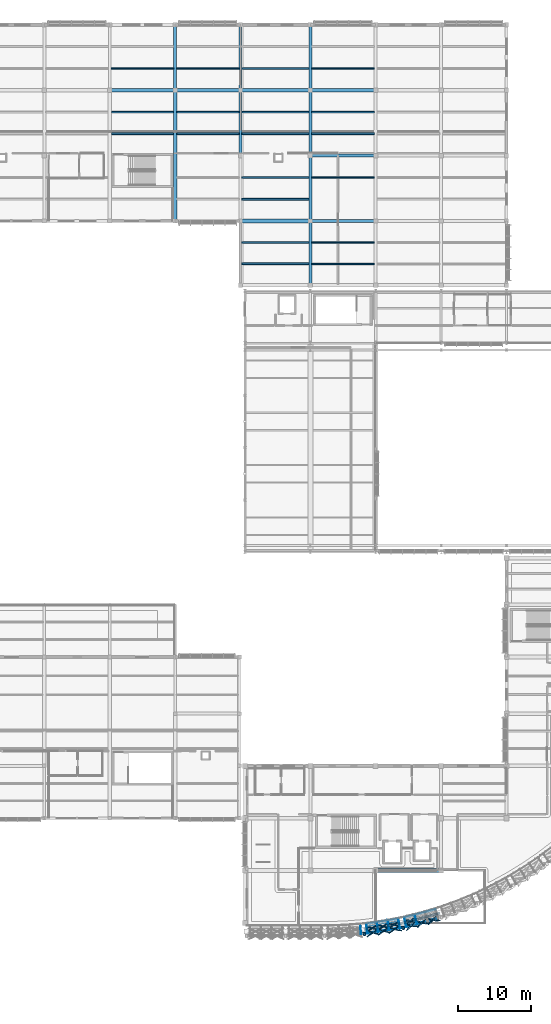
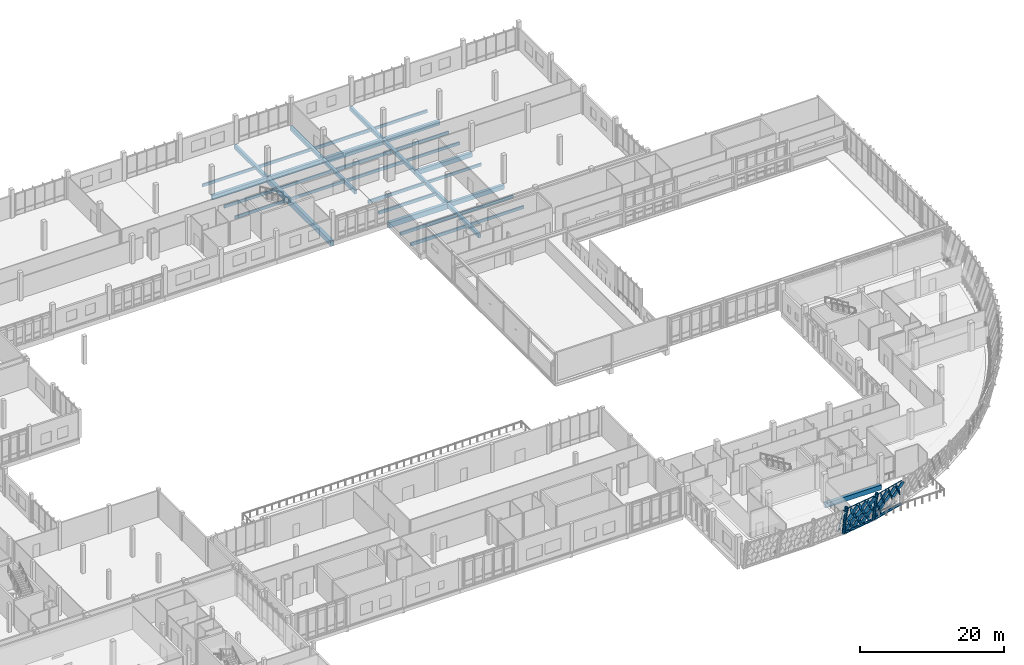
# One storey, part 84 of 177: 37 beams, 34 members, 3 elements without a shape of their own.
"""IFC4 building model written with IfcOpenShell, lengths in metres."""

from ifc_helpers import new_model, si_unit, direction, frame, origin, origin_2d, place, context, subcontext, project, spatial, rectangle, hollow_rectangle, hollow_circle, extrude, material, material_profile, profile_set, type_object, element, aggregate, save


model = new_model("IFC4")

# Units and contexts
model_context = context("Model", 3, precision=1e-05, world=origin(), true_north=direction((0.0, 1.0)))
body_context = subcontext(model_context, "Body", "Model", "MODEL_VIEW")
ifc_project = project(units=[si_unit("LENGTHUNIT", "METRE"), si_unit("AREAUNIT", "SQUARE_METRE"), si_unit("VOLUMEUNIT", "CUBIC_METRE"), si_unit("PLANEANGLEUNIT", "RADIAN"), si_unit("MASSUNIT", "GRAM", prefix="KILO")], contexts=[model_context])

# Site, building, storey
site_placement = place(None, origin())
site = spatial("IfcSite", under=ifc_project, at=site_placement, CompositionType="ELEMENT")
building_placement = place(site_placement, origin())
building = spatial("IfcBuilding", under=site, at=building_placement, Name="Chiffa Square Polytechnic", CompositionType="ELEMENT")
storey_placement = place(building_placement, frame((0.0, 0.0, 4.800048828125)))
storey = spatial("IfcBuildingStorey", under=building, at=storey_placement, Name="L01", CompositionType="ELEMENT", Elevation=4.800048828125)

# Beams
ifc_material_1 = material(Name="Concrete C35/45", Category="concrete")
ifc_material_profile_1 = material_profile(ifc_material_1, rectangle(XDim=0.39990234375, YDim=0.64990234375, at=origin_2d()), Name="RC 400x650")
ifc_profile_set_1 = profile_set([ifc_material_profile_1], Name="Concrete C35/45")
beam_type_1 = type_object("IfcBeamType", Name="BM-RC-400X650", PredefinedType="BEAM", material=ifc_profile_set_1)
for number, where, z_axis, x_axis, name in (
    (1, (102.60009765625, 121.800048828125, -0.60498046875), (0.0, 1.0, 0.0), (-1.0, 0.0, 0.0), "Primary floor girder BM-V5-L01-Y-1026-1218"),
    (2, (111.60009765625, 112.800048828125, -0.60498046875), (0.0, 1.0, 0.0), (-1.0, 0.0, 0.0), "Primary floor girder BM-V5-L01-Y-1116-1128"),
    (3, (111.60009765625, 121.800048828125, -0.60498046875), (0.0, 1.0, 0.0), (-1.0, 0.0, 0.0), "Primary floor girder BM-V5-L01-Y-1116-1218"),
):
    element("IfcBeam", number, at=place(storey_placement, frame(where, z_axis=z_axis, x_axis=x_axis)), inside=storey, type_object=beam_type_1, Name=name, PredefinedType="BEAM", context=body_context, shape_type="SweptSolid", body=[
        extrude(rectangle(XDim=0.39990234375, YDim=0.64990234375, at=origin_2d()), origin(), (0.0, 0.0, 1.0), 9.0),
    ])
beam_1_placement = place(storey_placement, frame((121.199951171875, 94.949951171875, -0.60498046875), z_axis=(0.0, 1.0, 0.0), x_axis=(-1.0, 0.0, 0.0)))
element("IfcBeam", 4, at=beam_1_placement, inside=storey, type_object=beam_type_1, Name="Primary floor girder BM-V5-L01-Y-1212-0950", PredefinedType="BEAM", context=body_context, shape_type="SweptSolid", body=[
    extrude(rectangle(XDim=0.39990234375, YDim=0.64990234375, at=origin_2d()), origin(), (0.0, 0.0, 1.0), 8.85009765625),
])
for number, where, z_axis, x_axis, name in (
    (5, (121.199951171875, 103.800048828125, -0.60498046875), (0.0, 1.0, 0.0), (-1.0, 0.0, 0.0), "Primary floor girder BM-V5-L01-Y-1212-1038"),
    (6, (121.199951171875, 112.800048828125, -0.60498046875), (0.0, 1.0, 0.0), (-1.0, 0.0, 0.0), "Primary floor girder BM-V5-L01-Y-1212-1128"),
    (7, (121.199951171875, 121.800048828125, -0.60498046875), (0.0, 1.0, 0.0), (-1.0, 0.0, 0.0), "Primary floor girder BM-V5-L01-Y-1212-1218"),
):
    element("IfcBeam", number, at=place(storey_placement, frame(where, z_axis=z_axis, x_axis=x_axis)), inside=storey, type_object=beam_type_1, Name=name, PredefinedType="BEAM", context=body_context, shape_type="SweptSolid", body=[
        extrude(rectangle(XDim=0.39990234375, YDim=0.64990234375, at=origin_2d()), origin(), (0.0, 0.0, 1.0), 9.0),
    ])
ifc_material_profile_2 = material_profile(ifc_material_1, rectangle(XDim=0.449951171875, YDim=0.75, at=origin_2d()), Name="RC 450x750")
ifc_profile_set_2 = profile_set([ifc_material_profile_2], Name="Concrete C35/45")
beam_type_2 = type_object("IfcBeamType", Name="BM-RC-450X750", PredefinedType="BEAM", material=ifc_profile_set_2)
for number, where, z_axis, x_axis, name in (
    (8, (121.199951171875, 103.800048828125, -0.655029296875), (1.0, 0.0, 0.0), (0.0, 1.0, 0.0), "Primary floor girder BM-V5-L01-X-1212-1038"),
    (9, (121.199951171875, 112.800048828125, -0.655029296875), (1.0, 0.0, 0.0), (0.0, 1.0, 0.0), "Primary floor girder BM-V5-L01-X-1212-1128"),
    (10, (93.60009765625, 121.800048828125, -0.655029296875), (1.0, 0.0, 0.0), (0.0, 1.0, 0.0), "Primary floor girder BM-V5-L01-X-0936-1218"),
    (11, (102.60009765625, 121.800048828125, -0.655029296875), (1.0, 0.0, 0.0), (0.0, 1.0, 0.0), "Primary floor girder BM-V5-L01-X-1026-1218"),
    (12, (121.199951171875, 121.800048828125, -0.655029296875), (1.0, 0.0, 0.0), (0.0, 1.0, 0.0), "Primary floor girder BM-V5-L01-X-1212-1218"),
):
    element("IfcBeam", number, at=place(storey_placement, frame(where, z_axis=z_axis, x_axis=x_axis)), inside=storey, type_object=beam_type_2, Name=name, PredefinedType="BEAM", context=body_context, shape_type="SweptSolid", body=[
        extrude(rectangle(XDim=0.449951171875, YDim=0.75, at=origin_2d()), origin(), (0.0, 0.0, 1.0), 9.0),
    ])
ifc_material_2 = material(Name="Concrete C40/50", Category="concrete")
ifc_material_profile_3 = material_profile(ifc_material_2, rectangle(XDim=0.5, YDim=0.800048828125, at=origin_2d()), Name="RC 500x800")
ifc_profile_set_3 = profile_set([ifc_material_profile_3], Name="Concrete C40/50")
beam_type_3 = type_object("IfcBeamType", Name="BM-RC-500X800", PredefinedType="BEAM", material=ifc_profile_set_3)
beam_2_placement = place(storey_placement, frame((130.199951171875, 14.39990234375, -0.679931640625), z_axis=(1.0, 0.0, 0.0), x_axis=(0.0, 1.0, 0.0)))
element("IfcBeam", 13, at=beam_2_placement, inside=storey, type_object=beam_type_3, Name="Primary floor girder BM-V1-L01-X-1302-0144", PredefinedType="BEAM", context=body_context, shape_type="SweptSolid", body=[
    extrude(rectangle(XDim=0.5, YDim=0.800048828125, at=origin_2d()), origin(), (0.0, 0.0, 1.0), 9.0),
])
ifc_material_profile_4 = material_profile(ifc_material_2, rectangle(XDim=0.5, YDim=0.89990234375, at=origin_2d()), Name="RC 500x900")
ifc_profile_set_4 = profile_set([ifc_material_profile_4], Name="Concrete C40/50")
beam_type_4 = type_object("IfcBeamType", Name="BM-RC-500X900", PredefinedType="BEAM", material=ifc_profile_set_4)
for number, where, z_axis, x_axis, name in (
    (14, (111.60009765625, 103.800048828125, -0.72998046875), (1.0, 0.0, 0.0), (0.0, 1.0, 0.0), "Primary floor girder BM-V5-L01-X-1116-1038"),
    (15, (111.60009765625, 121.800048828125, -0.72998046875), (1.0, 0.0, 0.0), (0.0, 1.0, 0.0), "Primary floor girder BM-V5-L01-X-1116-1218"),
):
    element("IfcBeam", number, at=place(storey_placement, frame(where, z_axis=z_axis, x_axis=x_axis)), inside=storey, type_object=beam_type_4, Name=name, PredefinedType="BEAM", context=body_context, shape_type="SweptSolid", body=[
        extrude(rectangle(XDim=0.5, YDim=0.89990234375, at=origin_2d()), origin(), (0.0, 0.0, 1.0), 9.599853515625),
    ])
beam_3_placement = place(storey_placement, frame((102.60009765625, 103.800048828125, -0.72998046875), z_axis=(0.0, 1.0, 0.0), x_axis=(-1.0, 0.0, 0.0)))
element("IfcBeam", 16, at=beam_3_placement, inside=storey, type_object=beam_type_4, Name="Primary floor girder BM-V5-L01-Y-1026-1038", PredefinedType="BEAM", context=body_context, shape_type="SweptSolid", body=[
    extrude(rectangle(XDim=0.5, YDim=0.89990234375, at=origin_2d()), origin(), (0.0, 0.0, 1.0), 18.0),
])
ifc_material_3 = material(Name="Steel S355", Category="steel")
ifc_material_profile_5 = material_profile(ifc_material_3, hollow_circle(Radius=0.203125, WallThickness=0.012451171875, at=origin_2d()), Name="CHS 406.4x12.5")
ifc_profile_set_5 = profile_set([ifc_material_profile_5], Name="Steel S355")
beam_type_5 = type_object("IfcBeamType", Name="BM-STL-CHS406", PredefinedType="BEAM", material=ifc_profile_set_5)
beam_4_placement = place(storey_placement, frame((128.56396484375, 6.31005859375, 0.0), z_axis=(0.987676593899, 0.156508612745, 0.0), x_axis=(-0.156508612745, 0.987676593899, 0.0)))
element("IfcBeam", 17, at=beam_4_placement, inside=storey, type_object=beam_type_5, Name="Prow V-column ring tie BM-V1-VRING-L01-04", PredefinedType="BEAM", context=body_context, shape_type="SweptSolid", body=[
    extrude(hollow_circle(Radius=0.203125, WallThickness=0.012451171875, at=origin_2d()), origin(), (0.0, 0.0, 1.0), 5.372314453125),
])
beam_5_placement = place(storey_placement, frame((133.8701171875, 7.15087890625, 0.0), z_axis=(0.96593709785, 0.2587769754, 0.0), x_axis=(-0.2587769754, 0.96593709785, 0.0)))
element("IfcBeam", 18, at=beam_5_placement, inside=storey, type_object=beam_type_5, Name="Prow V-column ring tie BM-V1-VRING-L01-05", PredefinedType="BEAM", context=body_context, shape_type="SweptSolid", body=[
    extrude(hollow_circle(Radius=0.203125, WallThickness=0.012451171875, at=origin_2d()), origin(), (0.0, 0.0, 1.0), 5.3720703125),
])

# Members
ifc_material_profile_6 = material_profile(ifc_material_3, hollow_circle(Radius=0.25390625, WallThickness=0.01611328125, at=origin_2d()), Name="CHS 508x16")
ifc_profile_set_6 = profile_set([ifc_material_profile_6], Name="Steel S355")
member_type_1 = type_object("IfcMemberType", Name="COL-VSTRUT-508", PredefinedType="STRUT", material=ifc_profile_set_6)
for number, where, z_axis, x_axis, name in (
    (19, (128.56396484375, 6.31005859375, 0.0), (0.014655072006, -0.139248364588, 0.990149040208), (0.994507423579, 0.104666061577, 0.0), "Prow steel V-strut CV-V1-L01-02R"),
    (20, (133.8701171875, 7.15087890625, 0.0), (0.029057684521, -0.137130112567, 0.990126751077), (0.978278300702, 0.207295842639, 0.0), "Prow steel V-strut CV-V1-L01-03L"),
):
    element("IfcMember", number, at=place(storey_placement, frame(where, z_axis=z_axis, x_axis=x_axis)), inside=storey, type_object=member_type_1, Name=name, PredefinedType="STRUT", context=body_context, shape_type="SweptSolid", body=[
        extrude(hollow_circle(Radius=0.25390625, WallThickness=0.01611328125, at=origin_2d()), origin(), (0.0, 0.0, 1.0), 4.847900390625),
    ])

# Curtain wall, member
ifc_material_4 = material(Name="Aluminium EN AW-6060 T66 and glulam shading", Category="wood")
curtain_wall_type_1 = type_object("IfcCurtainWallType", Name="CW-PROW-LEAN-150", PredefinedType="USERDEFINED", material=ifc_material_4)
curtain_wall_1_placement = place(storey_placement, origin())
curtain_wall_1 = element("IfcCurtainWall", 21, at=curtain_wall_1_placement, inside=storey, type_object=curtain_wall_type_1, Name="Outward-leaning diamond-fin prow curtain wall CW-V1-L01-012", ObjectType="CURTAIN WALL", PredefinedType="USERDEFINED")
ifc_material_5 = material(Name="Aluminium EN AW-6060 T66", Category="aluminium")
ifc_material_profile_7 = material_profile(ifc_material_5, hollow_rectangle(XDim=0.06494140625, YDim=0.179931640625, WallThickness=0.00390625, at=origin_2d()), Name="ALU 65x180x4")
ifc_profile_set_7 = profile_set([ifc_material_profile_7], Name="Aluminium EN AW-6060 T66")
member_type_2 = type_object("IfcMemberType", Name="CWM-ALU-75X180", PredefinedType="MULLION", material=ifc_profile_set_7)
member_1_placement = place(storey_placement, frame((128.06494140625, 6.962890625, 0.0), z_axis=(0.02836970443, -0.270639638746, 0.962262617901), x_axis=(0.994550763857, 0.104253432135, 0.0)))
member_1 = element("IfcMember", 22, at=member_1_placement, type_object=member_type_2, Name="Leaning prow mullion CW-V1-L01-012-M03", PredefinedType="MULLION", context=body_context, shape_type="SweptSolid", body=[
    extrude(hollow_rectangle(XDim=0.06494140625, YDim=0.179931640625, WallThickness=0.00390625, at=origin_2d()), origin(), (0.0, 0.0, 1.0), 4.65576171875),
])
aggregate(curtain_wall_1, [member_1])

# Curtain wall, members
curtain_wall_type_2 = type_object("IfcCurtainWallType", Name="CW-PROW-LEAN-300", PredefinedType="USERDEFINED", material=ifc_material_4)
curtain_wall_2_placement = place(storey_placement, origin())
curtain_wall_2 = element("IfcCurtainWall", 23, at=curtain_wall_2_placement, inside=storey, type_object=curtain_wall_type_2, Name="Outward-leaning diamond-fin prow curtain wall CW-V1-L01-013", ObjectType="CURTAIN WALL", PredefinedType="USERDEFINED")
member_2_placement = place(storey_placement, frame((128.9189453125, 7.052978515625, 0.0), z_axis=(0.028368093432, -0.270834015849, 0.96220797499), x_axis=(0.994559132106, 0.104173570275, 0.0)))
member_2 = element("IfcMember", 24, at=member_2_placement, type_object=member_type_2, Name="Leaning prow mullion CW-V1-L01-013-M00", PredefinedType="MULLION", context=body_context, shape_type="SweptSolid", body=[
    extrude(hollow_rectangle(XDim=0.06494140625, YDim=0.179931640625, WallThickness=0.00390625, at=origin_2d()), origin(), (0.0, 0.0, 1.0), 4.656005859375),
])
member_3_placement = place(storey_placement, frame((130.380615234375, 7.28466796875, 0.0), z_axis=(0.037810366203, -0.269339862442, 0.962302662735), x_axis=(0.990289786371, 0.139018484418, 0.0)))
member_3 = element("IfcMember", 25, at=member_3_placement, type_object=member_type_2, Name="Leaning prow mullion CW-V1-L01-013-M01", PredefinedType="MULLION", context=body_context, shape_type="SweptSolid", body=[
    extrude(hollow_rectangle(XDim=0.06494140625, YDim=0.179931640625, WallThickness=0.00390625, at=origin_2d()), origin(), (0.0, 0.0, 1.0), 4.655517578125),
])
member_4_placement = place(storey_placement, frame((131.84228515625, 7.516357421875, 0.0), z_axis=(0.047249514194, -0.267869609883, 0.962295877321), x_axis=(0.984797142037, 0.173708344749, 0.0)))
member_4 = element("IfcMember", 26, at=member_4_placement, type_object=member_type_2, Name="Leaning prow mullion CW-V1-L01-013-M02", PredefinedType="MULLION", context=body_context, shape_type="SweptSolid", body=[
    extrude(hollow_rectangle(XDim=0.06494140625, YDim=0.179931640625, WallThickness=0.00390625, at=origin_2d()), origin(), (0.0, 0.0, 1.0), 4.655517578125),
])
member_5_placement = place(storey_placement, frame((133.303955078125, 7.748046875, 0.0), z_axis=(0.056736416263, -0.266325562108, 0.962211865463), x_axis=(0.978052521554, 0.208358501343, 0.0)))
member_5 = element("IfcMember", 27, at=member_5_placement, type_object=member_type_2, Name="Leaning prow mullion CW-V1-L01-013-M03", PredefinedType="MULLION", context=body_context, shape_type="SweptSolid", body=[
    extrude(hollow_rectangle(XDim=0.06494140625, YDim=0.179931640625, WallThickness=0.00390625, at=origin_2d()), origin(), (0.0, 0.0, 1.0), 4.656005859375),
])

curtain_wall_3_placement = place(storey_placement, origin())
curtain_wall_3 = element("IfcCurtainWall", 28, at=curtain_wall_3_placement, inside=storey, type_object=curtain_wall_type_1, Name="Outward-leaning diamond-fin prow curtain wall CW-V1-L01-014", ObjectType="CURTAIN WALL", PredefinedType="USERDEFINED")
member_6_placement = place(storey_placement, frame((134.14404296875, 7.926025390625, 0.0), z_axis=(0.056684148211, -0.266326354082, 0.962214726796), x_axis=(0.978091748343, 0.208174282331, 0.0)))
member_6 = element("IfcMember", 29, at=member_6_placement, type_object=member_type_2, Name="Leaning prow mullion CW-V1-L01-014-M00", PredefinedType="MULLION", context=body_context, shape_type="SweptSolid", body=[
    extrude(hollow_rectangle(XDim=0.06494140625, YDim=0.179931640625, WallThickness=0.00390625, at=origin_2d()), origin(), (0.0, 0.0, 1.0), 4.656005859375),
])
member_7_placement = place(storey_placement, frame((135.573974609375, 8.309326171875, 0.0), z_axis=(0.065866581677, -0.263885859076, 0.962302367657), x_axis=(0.970233167612, 0.242172666638, 0.0)))
member_7 = element("IfcMember", 30, at=member_7_placement, type_object=member_type_2, Name="Leaning prow mullion CW-V1-L01-014-M01", PredefinedType="MULLION", context=body_context, shape_type="SweptSolid", body=[
    extrude(hollow_rectangle(XDim=0.06494140625, YDim=0.179931640625, WallThickness=0.00390625, at=origin_2d()), origin(), (0.0, 0.0, 1.0), 4.655517578125),
])

# Member
ifc_material_6 = material(Name="Glulam GL28h", Category="wood")
ifc_material_profile_8 = material_profile(ifc_material_6, rectangle(XDim=0.080078125, YDim=0.580078125, at=origin_2d()), Name="GL28h 80x580")
ifc_profile_set_8 = profile_set([ifc_material_profile_8], Name="Glulam GL28h")
member_type_3 = type_object("IfcMemberType", Name="CWM-GL-80X580", PredefinedType="MULLION", material=ifc_profile_set_8)
member_8_placement = place(storey_placement, frame((129.05908203125, 6.68408203125, 0.0400390625), z_axis=(0.526799808511, -0.155786600651, 0.83559110623), x_axis=(0.154742056217, 0.984210155488, 0.085937569621)))
member_8 = element("IfcMember", 31, at=member_8_placement, type_object=member_type_3, Name="Diamond glulam fin CW-V1-L01-013-DF01A", PredefinedType="MULLION", context=body_context, shape_type="SweptSolid", body=[
    extrude(rectangle(XDim=0.080078125, YDim=0.580078125, at=origin_2d()), origin(), (0.0, 0.0, 1.0), 2.6328125),
])

member_9_placement = place(storey_placement, frame((130.361083984375, 6.889892578125, 0.0400390625), z_axis=(-0.465594505621, -0.31073352449, 0.828653385375), x_axis=(0.656105326964, -0.749571865645, 0.087566078838)))
member_9 = element("IfcMember", 32, at=member_9_placement, type_object=member_type_3, Name="Diamond glulam fin CW-V1-L01-013-DF01B", PredefinedType="MULLION", context=body_context, shape_type="SweptSolid", body=[
    extrude(rectangle(XDim=0.080078125, YDim=0.580078125, at=origin_2d()), origin(), (0.0, 0.0, 1.0), 2.65478515625),
])

member_10_placement = place(storey_placement, frame((129.125, 6.06494140625, 2.239990234375), z_axis=(0.532094462003, -0.154020050036, 0.832558290868), x_axis=(0.149517593183, 0.984954524984, 0.08665490778)))
member_10 = element("IfcMember", 33, at=member_10_placement, type_object=member_type_3, Name="Diamond glulam fin CW-V1-L01-013-DF02A", PredefinedType="MULLION", context=body_context, shape_type="SweptSolid", body=[
    extrude(rectangle(XDim=0.080078125, YDim=0.580078125, at=origin_2d()), origin(), (0.0, 0.0, 1.0), 2.642333984375),
])

member_11_placement = place(storey_placement, frame((130.446044921875, 6.27392578125, 2.239990234375), z_axis=(-0.471023651224, -0.310686870511, 0.825596989142), x_axis=(0.651641460628, -0.753373651257, 0.088269747828)))
member_11 = element("IfcMember", 34, at=member_11_placement, type_object=member_type_3, Name="Diamond glulam fin CW-V1-L01-013-DF02B", PredefinedType="MULLION", context=body_context, shape_type="SweptSolid", body=[
    extrude(rectangle(XDim=0.080078125, YDim=0.580078125, at=origin_2d()), origin(), (0.0, 0.0, 1.0), 2.664794921875),
])

member_12_placement = place(storey_placement, frame((130.52099609375, 6.916015625, 0.0400390625), z_axis=(0.532654287164, -0.153598765312, 0.832278096348), x_axis=(0.148564068775, 0.985093005201, 0.08672075053)))
member_12 = element("IfcMember", 35, at=member_12_placement, type_object=member_type_3, Name="Diamond glulam fin CW-V1-L01-013-DF03A", PredefinedType="MULLION", context=body_context, shape_type="SweptSolid", body=[
    extrude(rectangle(XDim=0.080078125, YDim=0.580078125, at=origin_2d()), origin(), (0.0, 0.0, 1.0), 2.643310546875),
])

member_13_placement = place(storey_placement, frame((131.822998046875, 7.1220703125, 0.0400390625), z_axis=(-0.459233178419, -0.310926626128, 0.832123501052), x_axis=(0.661530183763, -0.744883232868, 0.086757047918)))
member_13 = element("IfcMember", 36, at=member_13_placement, type_object=member_type_3, Name="Diamond glulam fin CW-V1-L01-013-DF03B", PredefinedType="MULLION", context=body_context, shape_type="SweptSolid", body=[
    extrude(rectangle(XDim=0.080078125, YDim=0.580078125, at=origin_2d()), origin(), (0.0, 0.0, 1.0), 2.643798828125),
])

member_14_placement = place(storey_placement, frame((130.60888671875, 6.300048828125, 2.239990234375), z_axis=(0.53787545856, -0.151930262118, 0.82922083098), x_axis=(0.143646807743, 0.985758996072, 0.087434525719)))
member_14 = element("IfcMember", 37, at=member_14_placement, type_object=member_type_3, Name="Diamond glulam fin CW-V1-L01-013-DF04A", PredefinedType="MULLION", context=body_context, shape_type="SweptSolid", body=[
    extrude(rectangle(XDim=0.080078125, YDim=0.580078125, at=origin_2d()), origin(), (0.0, 0.0, 1.0), 2.653076171875),
])

member_15_placement = place(storey_placement, frame((131.928955078125, 6.510009765625, 2.239990234375), z_axis=(-0.464368739718, -0.310959566292, 0.82925618581), x_axis=(0.657347692353, -0.748498931179, 0.087426319738)))
member_15 = element("IfcMember", 38, at=member_15_placement, type_object=member_type_3, Name="Diamond glulam fin CW-V1-L01-013-DF04B", PredefinedType="MULLION", context=body_context, shape_type="SweptSolid", body=[
    extrude(rectangle(XDim=0.080078125, YDim=0.580078125, at=origin_2d()), origin(), (0.0, 0.0, 1.0), 2.65283203125),
])

member_16_placement = place(storey_placement, frame((131.98291015625, 7.14794921875, 0.0400390625), z_axis=(0.538732357727, -0.151742640876, 0.828698749654), x_axis=(0.142997132529, 0.985842706431, 0.08755557244)))
member_16 = element("IfcMember", 39, at=member_16_placement, type_object=member_type_3, Name="Diamond glulam fin CW-V1-L01-013-DF05A", PredefinedType="MULLION", context=body_context, shape_type="SweptSolid", body=[
    extrude(rectangle(XDim=0.080078125, YDim=0.580078125, at=origin_2d()), origin(), (0.0, 0.0, 1.0), 2.65478515625),
])

member_17_placement = place(storey_placement, frame((133.284912109375, 7.35400390625, 0.0400390625), z_axis=(-0.452720534552, -0.311117860185, 0.83561342418), x_axis=(0.667130108164, -0.739968286924, 0.085932258953)))
member_17 = element("IfcMember", 40, at=member_17_placement, type_object=member_type_3, Name="Diamond glulam fin CW-V1-L01-013-DF05B", PredefinedType="MULLION", context=body_context, shape_type="SweptSolid", body=[
    extrude(rectangle(XDim=0.080078125, YDim=0.580078125, at=origin_2d()), origin(), (0.0, 0.0, 1.0), 2.6328125),
])

member_18_placement = place(storey_placement, frame((132.093017578125, 6.534912109375, 2.239990234375), z_axis=(0.543849681167, -0.149730476668, 0.825716845324), x_axis=(0.137634744775, 0.986544460276, 0.088242308052)))
member_18 = element("IfcMember", 41, at=member_18_placement, type_object=member_type_3, Name="Diamond glulam fin CW-V1-L01-013-DF06A", PredefinedType="MULLION", context=body_context, shape_type="SweptSolid", body=[
    extrude(rectangle(XDim=0.080078125, YDim=0.580078125, at=origin_2d()), origin(), (0.0, 0.0, 1.0), 2.664306640625),
])

member_19_placement = place(storey_placement, frame((133.4130859375, 6.7451171875, 2.239990234375), z_axis=(-0.458358069356, -0.311084785229, 0.832546777458), x_axis=(0.662420382514, -0.744103282239, 0.086657614732)))
member_19 = element("IfcMember", 42, at=member_19_placement, type_object=member_type_3, Name="Diamond glulam fin CW-V1-L01-013-DF06B", PredefinedType="MULLION", context=body_context, shape_type="SweptSolid", body=[
    extrude(rectangle(XDim=0.080078125, YDim=0.580078125, at=origin_2d()), origin(), (0.0, 0.0, 1.0), 2.642333984375),
])

member_20_placement = place(storey_placement, frame((134.322021484375, 7.573974609375, 0.0400390625), z_axis=(0.540428588577, -0.099852734585, 0.835443817407), x_axis=(-0.037130223154, 0.989135445657, 0.142240699782)))
member_20 = element("IfcMember", 43, at=member_20_placement, type_object=member_type_3, Name="Diamond glulam fin CW-V1-L01-014-DF01A", PredefinedType="MULLION", context=body_context, shape_type="SweptSolid", body=[
    extrude(rectangle(XDim=0.080078125, YDim=0.580078125, at=origin_2d()), origin(), (0.0, 0.0, 1.0), 2.63330078125),
])

member_21_placement = place(storey_placement, frame((135.594970703125, 7.9150390625, 0.0400390625), z_axis=(-0.430240850242, -0.357859587066, 0.828751667707), x_axis=(0.782591353502, -0.605452158453, 0.144839418837)))
member_21 = element("IfcMember", 44, at=member_21_placement, type_object=member_type_3, Name="Diamond glulam fin CW-V1-L01-014-DF01B", PredefinedType="MULLION", context=body_context, shape_type="SweptSolid", body=[
    extrude(rectangle(XDim=0.080078125, YDim=0.580078125, at=origin_2d()), origin(), (0.0, 0.0, 1.0), 2.654541015625),
])

member_22_placement = place(storey_placement, frame((134.452880859375, 6.965087890625, 2.239990234375), z_axis=(0.545377606076, -0.097286569405, 0.832525429164), x_axis=(-0.042496997646, 0.988754524118, 0.143382342803)))
member_22 = element("IfcMember", 45, at=member_22_placement, type_object=member_type_3, Name="Diamond glulam fin CW-V1-L01-014-DF02A", PredefinedType="MULLION", context=body_context, shape_type="SweptSolid", body=[
    extrude(rectangle(XDim=0.080078125, YDim=0.580078125, at=origin_2d()), origin(), (0.0, 0.0, 1.0), 2.642578125),
])

member_23_placement = place(storey_placement, frame((135.7451171875, 7.31103515625, 2.239990234375), z_axis=(-0.435816810172, -0.358110196416, 0.825724406321), x_axis=(0.77835156672, -0.610618435146, 0.145993031491)))
member_23 = element("IfcMember", 46, at=member_23_placement, type_object=member_type_3, Name="Diamond glulam fin CW-V1-L01-014-DF02B", PredefinedType="MULLION", context=body_context, shape_type="SweptSolid", body=[
    extrude(rectangle(XDim=0.080078125, YDim=0.580078125, at=origin_2d()), origin(), (0.0, 0.0, 1.0), 2.664306640625),
])

member_24_placement = place(storey_placement, frame((135.904052734375, 7.35400390625, 2.239990234375), z_axis=(0.550961661436, -0.0949553164, 0.829110810154), x_axis=(-0.047418407607, 0.988338465404, 0.144701666968)))
member_24 = element("IfcMember", 47, at=member_24_placement, type_object=member_type_3, Name="Diamond glulam fin CW-V1-L01-014-DF04A", PredefinedType="MULLION", context=body_context, shape_type="SweptSolid", body=[
    extrude(rectangle(XDim=0.080078125, YDim=0.580078125, at=origin_2d()), origin(), (0.0, 0.0, 1.0), 2.6533203125),
])

member_25_placement = place(storey_placement, frame((137.196044921875, 7.699951171875, 2.239990234375), z_axis=(-0.429697573328, -0.357651920241, 0.829123090634), x_axis=(0.782868527589, -0.605127804857, 0.14469695332)))
member_25 = element("IfcMember", 48, at=member_25_placement, type_object=member_type_3, Name="Diamond glulam fin CW-V1-L01-014-DF04B", PredefinedType="MULLION", context=body_context, shape_type="SweptSolid", body=[
    extrude(rectangle(XDim=0.080078125, YDim=0.580078125, at=origin_2d()), origin(), (0.0, 0.0, 1.0), 2.6533203125),
])

member_26_placement = place(storey_placement, frame((137.35595703125, 7.742919921875, 2.239990234375), z_axis=(0.556618913805, -0.092265884148, 0.825628482683), x_axis=(-0.052854028929, 0.987867336914, 0.146029367886)))
member_26 = element("IfcMember", 49, at=member_26_placement, type_object=member_type_3, Name="Diamond glulam fin CW-V1-L01-014-DF06A", PredefinedType="MULLION", context=body_context, shape_type="SweptSolid", body=[
    extrude(rectangle(XDim=0.080078125, YDim=0.580078125, at=origin_2d()), origin(), (0.0, 0.0, 1.0), 2.66455078125),
])

member_27_placement = place(storey_placement, frame((138.64697265625, 8.089111328125, 2.239990234375), z_axis=(-0.423472745931, -0.356944188857, 0.832623371936), x_axis=(0.787302786689, -0.599672202753, 0.143344240612)))
member_27 = element("IfcMember", 50, at=member_27_placement, type_object=member_type_3, Name="Diamond glulam fin CW-V1-L01-014-DF06B", PredefinedType="MULLION", context=body_context, shape_type="SweptSolid", body=[
    extrude(rectangle(XDim=0.080078125, YDim=0.580078125, at=origin_2d()), origin(), (0.0, 0.0, 1.0), 2.64208984375),
])

ifc_material_profile_9 = material_profile(ifc_material_5, hollow_rectangle(XDim=0.06494140625, YDim=0.139892578125, WallThickness=0.00390625, at=origin_2d()), Name="ALU 65x140x4")
ifc_profile_set_9 = profile_set([ifc_material_profile_9], Name="Aluminium EN AW-6060 T66")
member_type_4 = type_object("IfcMemberType", Name="CWT-ALU-75X140", PredefinedType="USERDEFINED", material=ifc_profile_set_9)
member_28_placement = place(storey_placement, frame((128.920166015625, 7.041748046875, 0.0400390625), z_axis=(0.987675892436, 0.156513039395, 0.0), x_axis=(-0.156513039395, 0.987675892436, 0.0)))
member_28 = element("IfcMember", 51, at=member_28_placement, type_object=member_type_4, Name="Leaning prow transom CW-V1-L01-013-T01", ObjectType="TRANSOM", PredefinedType="USERDEFINED", context=body_context, shape_type="SweptSolid", body=[
    extrude(hollow_rectangle(XDim=0.06494140625, YDim=0.139892578125, WallThickness=0.00390625, at=origin_2d()), origin(), (0.0, 0.0, 1.0), 4.44091796875),
])

member_29_placement = place(storey_placement, frame((128.944091796875, 6.813720703125, 0.849853515625), z_axis=(0.98767057692, 0.15654657929, 0.0), x_axis=(-0.15654657929, 0.98767057692, 0.0)))
member_29 = element("IfcMember", 52, at=member_29_placement, type_object=member_type_4, Name="Leaning prow transom CW-V1-L01-013-T02", ObjectType="TRANSOM", PredefinedType="USERDEFINED", context=body_context, shape_type="SweptSolid", body=[
    extrude(hollow_rectangle(XDim=0.06494140625, YDim=0.139892578125, WallThickness=0.00390625, at=origin_2d()), origin(), (0.0, 0.0, 1.0), 4.46484375),
])

member_30_placement = place(storey_placement, frame((129.0498046875, 5.80322265625, 4.43994140625), z_axis=(0.987668837735, 0.156557551616, 0.0), x_axis=(-0.156557551616, 0.987668837735, 0.0)))
member_30 = element("IfcMember", 53, at=member_30_placement, type_object=member_type_4, Name="Leaning prow transom CW-V1-L01-013-T03", ObjectType="TRANSOM", PredefinedType="USERDEFINED", context=body_context, shape_type="SweptSolid", body=[
    extrude(hollow_rectangle(XDim=0.06494140625, YDim=0.139892578125, WallThickness=0.00390625, at=origin_2d()), origin(), (0.0, 0.0, 1.0), 4.572265625),
])

aggregate(curtain_wall_2, [member_2, member_3, member_4, member_5, member_28, member_29, member_30, member_8, member_9, member_10, member_11, member_12, member_13, member_14, member_15, member_16, member_17, member_18, member_19])

member_31_placement = place(storey_placement, frame((134.146484375, 7.914794921875, 0.0400390625), z_axis=(0.96589112728, 0.258948508861, 0.0), x_axis=(-0.258948508861, 0.96589112728, 0.0)))
member_31 = element("IfcMember", 54, at=member_31_placement, type_object=member_type_4, Name="Leaning prow transom CW-V1-L01-014-T01", ObjectType="TRANSOM", PredefinedType="USERDEFINED", context=body_context, shape_type="SweptSolid", body=[
    extrude(hollow_rectangle(XDim=0.06494140625, YDim=0.139892578125, WallThickness=0.00390625, at=origin_2d()), origin(), (0.0, 0.0, 1.0), 4.442626953125),
])

member_32_placement = place(storey_placement, frame((134.405517578125, 6.697021484375, 4.43994140625), z_axis=(0.965908963937, 0.258881968059, 0.0), x_axis=(-0.258881968059, 0.965908963937, 0.0)))
member_32 = element("IfcMember", 55, at=member_32_placement, type_object=member_type_4, Name="Leaning prow transom CW-V1-L01-014-T03", ObjectType="TRANSOM", PredefinedType="USERDEFINED", context=body_context, shape_type="SweptSolid", body=[
    extrude(hollow_rectangle(XDim=0.06494140625, YDim=0.139892578125, WallThickness=0.00390625, at=origin_2d()), origin(), (0.0, 0.0, 1.0), 4.572998046875),
])

aggregate(curtain_wall_3, [member_6, member_7, member_31, member_32, member_20, member_21, member_22, member_23, member_24, member_25, member_26, member_27])

# Beams
ifc_material_profile_10 = material_profile(ifc_material_6, rectangle(XDim=0.219970703125, YDim=0.47998046875, at=origin_2d()), Name="GL28h 220x480")
ifc_profile_set_10 = profile_set([ifc_material_profile_10], Name="Glulam GL28h")
beam_type_6 = type_object("IfcBeamType", Name="JST-GL-220X480", PredefinedType="JOIST", material=ifc_profile_set_10)
for number, where, z_axis, x_axis, name in (
    (56, (93.847900390625, 115.800048828125, -0.52001953125), (1.0, 0.0, 0.0), (0.0, 1.0, 0.0), "Secondary floor joist JST-V5-L01-0936-1158"),
    (57, (93.847900390625, 118.800048828125, -0.52001953125), (1.0, 0.0, 0.0), (0.0, 1.0, 0.0), "Secondary floor joist JST-V5-L01-0936-1188"),
):
    element("IfcBeam", number, at=place(storey_placement, frame(where, z_axis=z_axis, x_axis=x_axis)), inside=storey, type_object=beam_type_6, Name=name, PredefinedType="JOIST", context=body_context, shape_type="SweptSolid", body=[
        extrude(rectangle(XDim=0.219970703125, YDim=0.47998046875, at=origin_2d()), origin(), (0.0, 0.0, 1.0), 8.504150390625),
    ])
beam_6_placement = place(storey_placement, frame((93.798095703125, 124.800048828125, -0.52001953125), z_axis=(1.0, 0.0, 0.0), x_axis=(0.0, 1.0, 0.0)))
element("IfcBeam", 58, at=beam_6_placement, inside=storey, type_object=beam_type_6, Name="Secondary floor joist JST-V5-L01-0936-1248", PredefinedType="JOIST", context=body_context, shape_type="SweptSolid", body=[
    extrude(rectangle(XDim=0.219970703125, YDim=0.47998046875, at=origin_2d()), origin(), (0.0, 0.0, 1.0), 8.60400390625),
])
for number, where, z_axis, x_axis, name in (
    (59, (102.847900390625, 115.800048828125, -0.52001953125), (1.0, 0.0, 0.0), (0.0, 1.0, 0.0), "Secondary floor joist JST-V5-L01-1026-1158"),
    (60, (102.847900390625, 118.800048828125, -0.52001953125), (1.0, 0.0, 0.0), (0.0, 1.0, 0.0), "Secondary floor joist JST-V5-L01-1026-1188"),
):
    element("IfcBeam", number, at=place(storey_placement, frame(where, z_axis=z_axis, x_axis=x_axis)), inside=storey, type_object=beam_type_6, Name=name, PredefinedType="JOIST", context=body_context, shape_type="SweptSolid", body=[
        extrude(rectangle(XDim=0.219970703125, YDim=0.47998046875, at=origin_2d()), origin(), (0.0, 0.0, 1.0), 8.55419921875),
    ])
for number, where, z_axis, x_axis, name in (
    (61, (102.798095703125, 124.800048828125, -0.52001953125), (1.0, 0.0, 0.0), (0.0, 1.0, 0.0), "Secondary floor joist JST-V5-L01-1026-1248"),
    (62, (121.39794921875, 97.89990234375, -0.52001953125), (1.0, 0.0, 0.0), (0.0, 1.0, 0.0), "Secondary floor joist JST-V5-L01-1212-0979"),
    (63, (121.39794921875, 100.85009765625, -0.52001953125), (1.0, 0.0, 0.0), (0.0, 1.0, 0.0), "Secondary floor joist JST-V5-L01-1212-1008"),
    (64, (121.39794921875, 109.800048828125, -0.52001953125), (1.0, 0.0, 0.0), (0.0, 1.0, 0.0), "Secondary floor joist JST-V5-L01-1212-1098"),
    (65, (121.39794921875, 115.800048828125, -0.52001953125), (1.0, 0.0, 0.0), (0.0, 1.0, 0.0), "Secondary floor joist JST-V5-L01-1212-1158"),
    (66, (121.39794921875, 118.800048828125, -0.52001953125), (1.0, 0.0, 0.0), (0.0, 1.0, 0.0), "Secondary floor joist JST-V5-L01-1212-1188"),
    (67, (121.39794921875, 124.800048828125, -0.52001953125), (1.0, 0.0, 0.0), (0.0, 1.0, 0.0), "Secondary floor joist JST-V5-L01-1212-1248"),
):
    element("IfcBeam", number, at=place(storey_placement, frame(where, z_axis=z_axis, x_axis=x_axis)), inside=storey, type_object=beam_type_6, Name=name, PredefinedType="JOIST", context=body_context, shape_type="SweptSolid", body=[
        extrude(rectangle(XDim=0.219970703125, YDim=0.47998046875, at=origin_2d()), origin(), (0.0, 0.0, 1.0), 8.60400390625),
    ])
ifc_material_profile_11 = material_profile(ifc_material_6, rectangle(XDim=0.239990234375, YDim=0.52001953125, at=origin_2d()), Name="GL28h 240x520")
ifc_profile_set_11 = profile_set([ifc_material_profile_11], Name="Glulam GL28h")
beam_type_7 = type_object("IfcBeamType", Name="JST-GL-240X520", PredefinedType="JOIST", material=ifc_profile_set_11)
for number, where, z_axis, x_axis, name in (
    (68, (111.798095703125, 97.89990234375, -0.5400390625), (1.0, 0.0, 0.0), (0.0, 1.0, 0.0), "Secondary floor joist JST-V5-L01-1116-0979"),
    (69, (111.798095703125, 100.85009765625, -0.5400390625), (1.0, 0.0, 0.0), (0.0, 1.0, 0.0), "Secondary floor joist JST-V5-L01-1116-1008"),
    (70, (111.798095703125, 106.800048828125, -0.5400390625), (1.0, 0.0, 0.0), (0.0, 1.0, 0.0), "Secondary floor joist JST-V5-L01-1116-1068"),
    (71, (111.798095703125, 109.800048828125, -0.5400390625), (1.0, 0.0, 0.0), (0.0, 1.0, 0.0), "Secondary floor joist JST-V5-L01-1116-1098"),
    (72, (111.798095703125, 115.800048828125, -0.5400390625), (1.0, 0.0, 0.0), (0.0, 1.0, 0.0), "Secondary floor joist JST-V5-L01-1116-1158"),
    (73, (111.798095703125, 118.800048828125, -0.5400390625), (1.0, 0.0, 0.0), (0.0, 1.0, 0.0), "Secondary floor joist JST-V5-L01-1116-1188"),
    (74, (111.798095703125, 124.800048828125, -0.5400390625), (1.0, 0.0, 0.0), (0.0, 1.0, 0.0), "Secondary floor joist JST-V5-L01-1116-1248"),
):
    element("IfcBeam", number, at=place(storey_placement, frame(where, z_axis=z_axis, x_axis=x_axis)), inside=storey, type_object=beam_type_7, Name=name, PredefinedType="JOIST", context=body_context, shape_type="SweptSolid", body=[
        extrude(rectangle(XDim=0.239990234375, YDim=0.52001953125, at=origin_2d()), origin(), (0.0, 0.0, 1.0), 9.203857421875),
    ])

save(model, "model.ifc")
